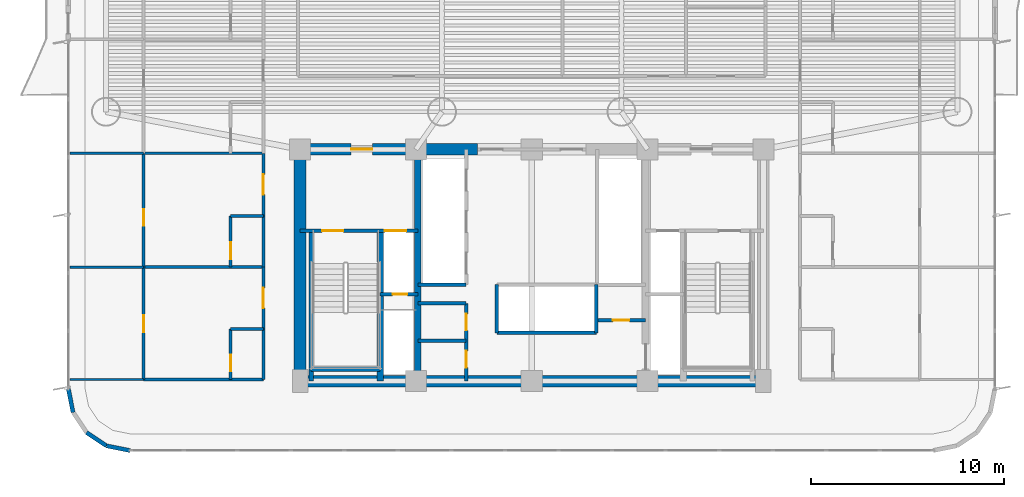
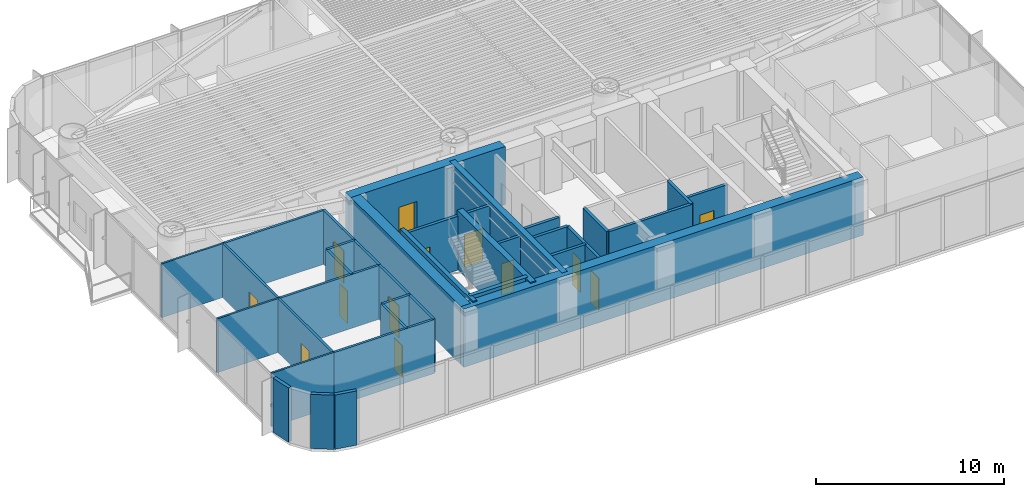
# One storey, part 10 of 18: 36 walls, 13 doors, 13 openings.
"""IFC4 building model written with IfcOpenShell, lengths in metres."""

from ifc_helpers import new_model, si_unit, direction, frame, frame_2d, origin, origin_2d, place, context, subcontext, project, spatial, rectangle, extrude, source, transform, mapped, material, layer, layer_set, type_object, element, fill, save


model = new_model("IFC4")

# Units and contexts
model_context = context("Model", 3, precision=1e-05, world=origin(), true_north=direction((0.0, 1.0)))
body_context = subcontext(model_context, "Body", "Model", "MODEL_VIEW")
ifc_project = project(units=[si_unit("LENGTHUNIT", "METRE"), si_unit("AREAUNIT", "SQUARE_METRE"), si_unit("VOLUMEUNIT", "CUBIC_METRE"), si_unit("PLANEANGLEUNIT", "RADIAN"), si_unit("MASSUNIT", "GRAM", prefix="KILO")], contexts=[model_context])

# Site, building, storey
site_placement = place(None, origin())
site = spatial("IfcSite", under=ifc_project, at=site_placement, CompositionType="ELEMENT")
building_placement = place(site_placement, origin())
building = spatial("IfcBuilding", under=site, at=building_placement, Name="Brelvock Crest Care Tower", CompositionType="ELEMENT")
storey_placement = place(building_placement, frame((0.0, 0.0, 42.1201171875)))
storey = spatial("IfcBuildingStorey", under=building, at=storey_placement, Name="L10", CompositionType="ELEMENT", Elevation=42.1201171875)

# Walls
ifc_material_1 = material(Name="Concrete S80 (80 MPa)", Category="concrete")
ifc_layer_1 = layer(ifc_material_1, 0.60009765625, Name="WL-CS1")
ifc_layer_set_1 = layer_set([ifc_layer_1], Name="Concrete S80 (80 MPa)")
wall_type_1 = type_object("IfcWallType", Name="WL-CS1", PredefinedType="SHEAR", material=ifc_layer_set_1)
wall_1_placement = place(storey_placement, frame((48.300048828125, 6.0, 0.0), z_axis=(0.0, 0.0, 1.0), x_axis=(-1.0, 0.0, 0.0)))
element("IfcWall", 1, at=wall_1_placement, inside=storey, type_object=wall_type_1, Name="L10 Core South Shear Wall", PredefinedType="SHEAR", context=body_context, shape_type="SweptSolid", body=[
    extrude(rectangle(XDim=24.60009765625, YDim=0.60009765625, at=frame_2d((12.300048828125, 0.0))), origin(), (0.0, 0.0, 1.0), 3.77978515625),
])
wall_2_placement = place(storey_placement, frame((24.0, 6.0, 0.0), z_axis=(0.0, 0.0, 1.0), x_axis=(0.0, 1.0, 0.0)))
element("IfcWall", 2, at=wall_2_placement, inside=storey, type_object=wall_type_1, Name="L10 Core West Shear Wall", PredefinedType="SHEAR", context=body_context, shape_type="SweptSolid", body=[
    extrude(rectangle(XDim=12.0, YDim=0.60009765625, at=frame_2d((6.0, 0.0))), origin(), (0.0, 0.0, 1.0), 3.77978515625),
])

# Wall, opening, door
wall_3_placement = place(storey_placement, frame((23.699951171875, 18.0, 0.0), z_axis=(0.0, 0.0, 1.0), x_axis=(1.0, 0.0, 0.0)))
wall_3 = element("IfcWall", 3, at=wall_3_placement, inside=storey, type_object=wall_type_1, Name="L10 Core North-West Shear Wall", PredefinedType="SHEAR", context=body_context, shape_type="SweptSolid", body=[
    extrude(rectangle(XDim=9.5, YDim=0.60009765625, at=frame_2d((4.75, 0.0))), origin(), (0.0, 0.0, 1.0), 3.77978515625),
])
opening_1_placement = place(wall_3_placement, frame((2.949951171875, 0.0, 0.0)))
opening_1 = element("IfcOpeningElement", 4, at=opening_1_placement, cuts=wall_3, Name="Opening FD-1", PredefinedType="OPENING", context=body_context, shape_type="SweptSolid", body=[
    extrude(rectangle(XDim=1.10009765625, YDim=2.10009765625, at=origin_2d()), frame((0.550048828125, 0.31005859375, 1.050048828125), z_axis=(0.0, -1.0, 0.0), x_axis=(1.0, 0.0, 0.0)), (0.0, 0.0, 1.0), 0.6201171875),
])
ifc_material_2 = material(Name="Steel Grade 350", Category="steel")
door_type_1 = type_object("IfcDoorType", Name="DR-FFL1", OperationType="NOTDEFINED", PredefinedType="DOOR", material=ifc_material_2)
shared_shape_1 = source(origin(), body_context, "Body", "SweptSolid", [
    extrude(rectangle(XDim=1.10009765625, YDim=2.10009765625, at=origin_2d()), frame((0.550048828125, 0.02490234375, 1.050048828125), z_axis=(0.0, -1.0, 0.0), x_axis=(1.0, 0.0, 0.0)), (0.0, 0.0, 1.0), 0.050048828125),
])
door_1_placement = place(opening_1_placement, origin())
door_1 = element("IfcDoor", 5, at=door_1_placement, inside=storey, type_object=door_type_1, Name="L10 Firefighting Lobby FFL-1 Exit Door", OperationType="SINGLE_SWING_LEFT", OverallHeight=2.10009765625, OverallWidth=1.10009765625, PredefinedType="DOOR", context=body_context, shape_type="MappedRepresentation", body=[
    mapped(shared_shape_1, transform((0.0, 0.0, 0.0), x_axis=(1.0, 0.0, 0.0), y_axis=(0.0, 1.0, 0.0), z_axis=(0.0, 0.0, 1.0), scale=1.0)),
])
fill(opening_1, door_1)

# Walls
ifc_layer_2 = layer(ifc_material_1, 0.35009765625, Name="WL-CS5")
ifc_layer_set_2 = layer_set([ifc_layer_2], Name="Concrete S80 (80 MPa)")
wall_type_2 = type_object("IfcWallType", Name="WL-CS5", PredefinedType="SHEAR", material=ifc_layer_set_2)
wall_4_placement = place(storey_placement, frame((30.10009765625, 6.0, 0.0), z_axis=(0.0, 0.0, 1.0), x_axis=(0.0, 1.0, 0.0)))
element("IfcWall", 6, at=wall_4_placement, inside=storey, type_object=wall_type_2, Name="L10 Core Internal Web Wall West", PredefinedType="SHEAR", context=body_context, shape_type="SweptSolid", body=[
    extrude(rectangle(XDim=12.0, YDim=0.35009765625, at=frame_2d((6.0, 0.0))), origin(), (0.0, 0.0, 1.0), 3.77978515625),
])
wall_5_placement = place(storey_placement, frame((28.14990234375, 6.0, 0.0), z_axis=(0.0, 0.0, 1.0), x_axis=(0.0, 1.0, 0.0)))
element("IfcWall", 7, at=wall_5_placement, inside=storey, type_object=wall_type_2, Name="L10 Core Stair ST-1 East Shear Wall", PredefinedType="SHEAR", context=body_context, shape_type="SweptSolid", body=[
    extrude(rectangle(XDim=7.780029296875, YDim=0.35009765625, at=frame_2d((3.89013671875, 0.0))), origin(), (0.0, 0.0, 1.0), 3.849853515625),
])
ifc_layer_3 = layer(ifc_material_1, 0.25, Name="WL-CS6")
ifc_layer_set_3 = layer_set([ifc_layer_3], Name="Concrete S80 (80 MPa)")
wall_type_3 = type_object("IfcWallType", Name="WL-CS6", PredefinedType="SHEAR", material=ifc_layer_set_3)
wall_6_placement = place(storey_placement, frame((24.580078125, 6.0, 0.0), z_axis=(0.0, 0.0, 1.0), x_axis=(0.0, 1.0, 0.0)))
element("IfcWall", 8, at=wall_6_placement, inside=storey, type_object=wall_type_3, Name="L10 Core Stair ST-1 West Shear Wall", PredefinedType="SHEAR", context=body_context, shape_type="SweptSolid", body=[
    extrude(rectangle(XDim=7.780029296875, YDim=0.25, at=frame_2d((3.89013671875, 0.0))), origin(), (0.0, 0.0, 1.0), 3.849853515625),
])
wall_7_placement = place(storey_placement, frame((24.580078125, 6.6201171875, 0.0), z_axis=(0.0, 0.0, 1.0), x_axis=(1.0, 0.0, 0.0)))
element("IfcWall", 9, at=wall_7_placement, inside=storey, type_object=wall_type_3, Name="L10 Core Stair ST-1 South Shear Wall", PredefinedType="SHEAR", context=body_context, shape_type="SweptSolid", body=[
    extrude(rectangle(XDim=3.56982421875, YDim=0.25, at=frame_2d((1.784912109375, 0.0))), origin(), (0.0, 0.0, 1.0), 3.849853515625),
])
ifc_material_3 = material(Name="Precast concrete N40 (40 MPa)", Category="concrete")
ifc_layer_4 = layer(ifc_material_3, 0.215087890625, Name="WL-EX2")
ifc_layer_set_4 = layer_set([ifc_layer_4], Name="Precast concrete N40 (40 MPa)")
wall_type_4 = type_object("IfcWallType", Name="WL-EX2", PredefinedType="SOLIDWALL", material=ifc_layer_set_4)
for number, where, z_axis, x_axis, name in (
    (10, (15.199951171875, 2.39990234375, 0.0), (0.0, 0.0, 1.0), (-0.980775717779, 0.195138390419, 0.0), "L10 Rounded Corner Wall 09"),
    (11, (13.975341796875, 2.6435546875, 0.0), (0.0, 0.0, 1.0), (-0.831387912822, 0.555692485475, 0.0), "L10 Rounded Corner Wall 10"),
    (12, (12.24365234375, 4.37548828125, 0.0), (0.0, 0.0, 1.0), (-0.195138390419, 0.980775717779, 0.0), "L10 Rounded Corner Wall 12"),
):
    element("IfcWall", number, at=place(storey_placement, frame(where, z_axis=z_axis, x_axis=x_axis)), inside=storey, type_object=wall_type_4, Name=name, PredefinedType="SOLIDWALL", context=body_context, shape_type="SweptSolid", body=[
        extrude(rectangle(XDim=1.24853515625, YDim=0.215087890625, at=frame_2d((0.624267578125, 0.0))), origin(), (0.0, 0.0, 1.0), 3.52978515625),
    ])
ifc_material_4 = material(Name="Masonry Blockwork Acoustic Partition", Category="masonry")
ifc_layer_5 = layer(ifc_material_4, 0.14990234375, Name="WL-INT1")
ifc_layer_set_5 = layer_set([ifc_layer_5], Name="Masonry Blockwork Acoustic Partition")
wall_type_5 = type_object("IfcWallType", Name="WL-INT1", PredefinedType="PARTITIONING", material=ifc_layer_set_5)
for number, where, z_axis, x_axis, name in (
    (13, (15.89990234375, 6.080078125, 0.0), (0.0, 0.0, 1.0), (1.0, 0.0, 0.0), "L10 Interior Wall WL-BX-L10-CS-WC1-S"),
    (14, (15.89990234375, 11.89990234375, 0.0), (0.0, 0.0, 1.0), (1.0, 0.0, 0.0), "L10 Interior Wall WL-BX-L10-CS-WC1-N"),
    (15, (15.89990234375, 17.800048828125, 0.0), (0.0, 0.0, 1.0), (1.0, 0.0, 0.0), "L10 Interior Wall WL-BX-L10-CS-WC2-N"),
):
    element("IfcWall", number, at=place(storey_placement, frame(where, z_axis=z_axis, x_axis=x_axis)), inside=storey, type_object=wall_type_5, Name=name, PredefinedType="PARTITIONING", context=body_context, shape_type="SweptSolid", body=[
        extrude(rectangle(XDim=6.2001953125, YDim=0.14990234375, at=frame_2d((3.10009765625, 0.0))), origin(), (0.0, 0.0, 1.0), 3.5),
    ])

# Wall, opening, door
wall_8_placement = place(storey_placement, frame((15.89990234375, 6.080078125, 0.0), z_axis=(0.0, 0.0, 1.0), x_axis=(0.0, 1.0, 0.0)))
wall_8 = element("IfcWall", 16, at=wall_8_placement, inside=storey, type_object=wall_type_5, Name="L10 Interior Wall WL-RM-L10-WC1S", PredefinedType="PARTITIONING", context=body_context, shape_type="SweptSolid", body=[
    extrude(rectangle(XDim=5.81982421875, YDim=0.14990234375, at=frame_2d((2.909912109375, 0.0))), origin(), (0.0, 0.0, 1.0), 3.5),
])
opening_2_placement = place(wall_8_placement, frame((2.4599609375, 0.0, 0.0)))
opening_2 = element("IfcOpeningElement", 17, at=opening_2_placement, cuts=wall_8, Name="Opening ID-1", PredefinedType="OPENING", context=body_context, shape_type="SweptSolid", body=[
    extrude(rectangle(XDim=0.860107421875, YDim=2.10009765625, at=origin_2d()), frame((0.43017578125, 0.0849609375, 1.050048828125), z_axis=(0.0, -1.0, 0.0), x_axis=(1.0, 0.0, 0.0)), (0.0, 0.0, 1.0), 0.169921875),
])
ifc_material_5 = material(Name="Engineered Hardwood Timber", Category="wood")
door_type_2 = type_object("IfcDoorType", Name="DR-INT1", OperationType="NOTDEFINED", PredefinedType="DOOR", material=ifc_material_5)
shared_shape_2 = source(origin(), body_context, "Body", "SweptSolid", [
    extrude(rectangle(XDim=0.860107421875, YDim=2.10009765625, at=origin_2d()), frame((0.43017578125, 0.02490234375, 1.050048828125), z_axis=(0.0, -1.0, 0.0), x_axis=(1.0, 0.0, 0.0)), (0.0, 0.0, 1.0), 0.050048828125),
])
door_2_placement = place(opening_2_placement, origin())
door_2 = element("IfcDoor", 18, at=door_2_placement, inside=storey, type_object=door_type_2, Name="L10 Assisted Care Mobility Store Door WC1S", OperationType="SINGLE_SWING_LEFT", OverallHeight=2.10009765625, OverallWidth=0.860107421875, PredefinedType="DOOR", context=body_context, shape_type="MappedRepresentation", body=[
    mapped(shared_shape_2, transform((0.0, 0.0, 0.0), x_axis=(1.0, 0.0, 0.0), y_axis=(0.0, 1.0, 0.0), z_axis=(0.0, 0.0, 1.0), scale=1.0)),
])
fill(opening_2, door_2)

wall_9_placement = place(storey_placement, frame((15.89990234375, 11.89990234375, 0.0), z_axis=(0.0, 0.0, 1.0), x_axis=(0.0, 1.0, 0.0)))
wall_9 = element("IfcWall", 19, at=wall_9_placement, inside=storey, type_object=wall_type_5, Name="L10 Interior Wall WL-RM-L10-WC2S", PredefinedType="PARTITIONING", context=body_context, shape_type="SweptSolid", body=[
    extrude(rectangle(XDim=5.900146484375, YDim=0.14990234375, at=frame_2d((2.9501953125, 0.0))), origin(), (0.0, 0.0, 1.0), 3.5),
])
opening_3_placement = place(wall_9_placement, frame((2.139892578125, 0.0, 0.0)))
opening_3 = element("IfcOpeningElement", 20, at=opening_3_placement, cuts=wall_9, Name="Opening ID-1", PredefinedType="OPENING", context=body_context, shape_type="SweptSolid", body=[
    extrude(rectangle(XDim=0.860107421875, YDim=2.10009765625, at=origin_2d()), frame((0.43017578125, 0.0849609375, 1.050048828125), z_axis=(0.0, -1.0, 0.0), x_axis=(1.0, 0.0, 0.0)), (0.0, 0.0, 1.0), 0.169921875),
])
door_3_placement = place(opening_3_placement, origin())
door_3 = element("IfcDoor", 21, at=door_3_placement, inside=storey, type_object=door_type_2, Name="L10 Assisted Care Mobility Store Door WC2S", OperationType="SINGLE_SWING_LEFT", OverallHeight=2.10009765625, OverallWidth=0.860107421875, PredefinedType="DOOR", context=body_context, shape_type="MappedRepresentation", body=[
    mapped(shared_shape_2, transform((0.0, 0.0, 0.0), x_axis=(1.0, 0.0, 0.0), y_axis=(0.0, 1.0, 0.0), z_axis=(0.0, 0.0, 1.0), scale=1.0)),
])
fill(opening_3, door_3)

wall_10_placement = place(storey_placement, frame((22.10009765625, 8.698974609375, 0.0), z_axis=(0.0, 0.0, 1.0), x_axis=(0.0, 1.0, 0.0)))
wall_10 = element("IfcWall", 22, at=wall_10_placement, inside=storey, type_object=wall_type_5, Name="L10 Interior Wall WL-CENT-L10-WC1", PredefinedType="PARTITIONING", context=body_context, shape_type="SweptSolid", body=[
    extrude(rectangle(XDim=3.200927734375, YDim=0.14990234375, at=frame_2d((1.6005859375, 0.0))), origin(), (0.0, 0.0, 1.0), 3.5),
])
opening_4_placement = place(wall_10_placement, frame((1.0810546875, 0.0, 0.0)))
opening_4 = element("IfcOpeningElement", 23, at=opening_4_placement, cuts=wall_10, Name="Opening CD-1", PredefinedType="OPENING", context=body_context, shape_type="SweptSolid", body=[
    extrude(rectangle(XDim=1.050048828125, YDim=2.10009765625, at=origin_2d()), frame((0.52490234375, 0.0849609375, 1.050048828125), z_axis=(0.0, -1.0, 0.0), x_axis=(1.0, 0.0, 0.0)), (0.0, 0.0, 1.0), 0.169921875),
])
door_type_3 = type_object("IfcDoorType", Name="DR-CARE1", OperationType="NOTDEFINED", PredefinedType="DOOR", material=ifc_material_5)
shared_shape_3 = source(origin(), body_context, "Body", "SweptSolid", [
    extrude(rectangle(XDim=1.050048828125, YDim=2.10009765625, at=origin_2d()), frame((0.52490234375, 0.02490234375, 1.050048828125), z_axis=(0.0, -1.0, 0.0), x_axis=(1.0, 0.0, 0.0)), (0.0, 0.0, 1.0), 0.050048828125),
])
door_4_placement = place(opening_4_placement, origin())
door_4 = element("IfcDoor", 24, at=door_4_placement, inside=storey, type_object=door_type_3, Name="L10 Care Suite Door WC1", OperationType="SINGLE_SWING_LEFT", OverallHeight=2.10009765625, OverallWidth=1.050048828125, PredefinedType="DOOR", context=body_context, shape_type="MappedRepresentation", body=[
    mapped(shared_shape_3, transform((0.0, 0.0, 0.0), x_axis=(1.0, 0.0, 0.0), y_axis=(0.0, 1.0, 0.0), z_axis=(0.0, 0.0, 1.0), scale=1.0)),
])
fill(opening_4, door_4)

wall_11_placement = place(storey_placement, frame((22.10009765625, 14.554931640625, 0.0), z_axis=(0.0, 0.0, 1.0), x_axis=(0.0, 1.0, 0.0)))
wall_11 = element("IfcWall", 25, at=wall_11_placement, inside=storey, type_object=wall_type_5, Name="L10 Interior Wall WL-CENT-L10-WC2", PredefinedType="PARTITIONING", context=body_context, shape_type="SweptSolid", body=[
    extrude(rectangle(XDim=3.2451171875, YDim=0.14990234375, at=frame_2d((1.62255859375, 0.0))), origin(), (0.0, 0.0, 1.0), 3.5),
])
opening_5_placement = place(wall_11_placement, frame((1.10302734375, 0.0, 0.0)))
opening_5 = element("IfcOpeningElement", 26, at=opening_5_placement, cuts=wall_11, Name="Opening CD-1", PredefinedType="OPENING", context=body_context, shape_type="SweptSolid", body=[
    extrude(rectangle(XDim=1.050048828125, YDim=2.10009765625, at=origin_2d()), frame((0.52490234375, 0.0849609375, 1.050048828125), z_axis=(0.0, -1.0, 0.0), x_axis=(1.0, 0.0, 0.0)), (0.0, 0.0, 1.0), 0.169921875),
])
door_5_placement = place(opening_5_placement, origin())
door_5 = element("IfcDoor", 27, at=door_5_placement, inside=storey, type_object=door_type_3, Name="L10 Care Suite Door WC2", OperationType="SINGLE_SWING_LEFT", OverallHeight=2.10009765625, OverallWidth=1.050048828125, PredefinedType="DOOR", context=body_context, shape_type="MappedRepresentation", body=[
    mapped(shared_shape_3, transform((0.0, 0.0, 0.0), x_axis=(1.0, 0.0, 0.0), y_axis=(0.0, 1.0, 0.0), z_axis=(0.0, 0.0, 1.0), scale=1.0)),
])
fill(opening_5, door_5)

# Walls
ifc_material_6 = material(Name="Gypsum Plasterboard Partition", Category="gypsum")
ifc_layer_6 = layer(ifc_material_6, 0.1201171875, Name="WL-INT2")
ifc_layer_set_6 = layer_set([ifc_layer_6], Name="Gypsum Plasterboard Partition")
wall_type_6 = type_object("IfcWallType", Name="WL-INT2", PredefinedType="PARTITIONING", material=ifc_layer_set_6)
for number, where, z_axis, x_axis, name in (
    (28, (12.080078125, 6.080078125, 0.0), (0.0, 0.0, 1.0), (1.0, 0.0, 0.0), "L10 Interior Wall WL-BX-L10-WC1S-S"),
    (29, (12.080078125, 11.89990234375, 0.0), (0.0, 0.0, 1.0), (1.0, 0.0, 0.0), "L10 Interior Wall WL-BX-L10-WC1S-N"),
    (30, (12.080078125, 17.800048828125, 0.0), (0.0, 0.0, 1.0), (1.0, 0.0, 0.0), "L10 Interior Wall WL-BX-L10-WC2S-N"),
):
    element("IfcWall", number, at=place(storey_placement, frame(where, z_axis=z_axis, x_axis=x_axis)), inside=storey, type_object=wall_type_6, Name=name, PredefinedType="PARTITIONING", context=body_context, shape_type="SweptSolid", body=[
        extrude(rectangle(XDim=3.81982421875, YDim=0.1201171875, at=frame_2d((1.909912109375, 0.0))), origin(), (0.0, 0.0, 1.0), 3.5),
    ])
ifc_layer_7 = layer(ifc_material_6, 0.159912109375, Name="WL-PLM1")
ifc_layer_set_7 = layer_set([ifc_layer_7], Name="Gypsum Plasterboard Partition")
wall_type_7 = type_object("IfcWallType", Name="WL-PLM1", PredefinedType="PLUMBINGWALL", material=ifc_layer_set_7)
for number, where, z_axis, x_axis, name in (
    (31, (20.39990234375, 8.698974609375, 0.0), (0.0, 0.0, 1.0), (1.0, 0.0, 0.0), "L10 Interior Wall WL-CENS2-L10-WC1"),
    (32, (20.39990234375, 14.554931640625, 0.0), (0.0, 0.0, 1.0), (1.0, 0.0, 0.0), "L10 Interior Wall WL-CENS2-L10-WC2"),
):
    element("IfcWall", number, at=place(storey_placement, frame(where, z_axis=z_axis, x_axis=x_axis)), inside=storey, type_object=wall_type_7, Name=name, PredefinedType="PLUMBINGWALL", context=body_context, shape_type="SweptSolid", body=[
        extrude(rectangle(XDim=1.7001953125, YDim=0.159912109375, at=frame_2d((0.85009765625, 0.0))), origin(), (0.0, 0.0, 1.0), 3.5),
    ])

# Wall, opening, door
wall_12_placement = place(storey_placement, frame((20.39990234375, 6.080078125, 0.0), z_axis=(0.0, 0.0, 1.0), x_axis=(0.0, 1.0, 0.0)))
wall_12 = element("IfcWall", 33, at=wall_12_placement, inside=storey, type_object=wall_type_7, Name="L10 Interior Wall WL-CENS1-L10-WC1", PredefinedType="PLUMBINGWALL", context=body_context, shape_type="SweptSolid", body=[
    extrude(rectangle(XDim=2.618896484375, YDim=0.159912109375, at=frame_2d((1.3095703125, 0.0))), origin(), (0.0, 0.0, 1.0), 3.5),
])
opening_6_placement = place(wall_12_placement, frame((0.419921875, 0.0, 0.0)))
opening_6 = element("IfcOpeningElement", 34, at=opening_6_placement, cuts=wall_12, Name="Opening WD-1", PredefinedType="OPENING", context=body_context, shape_type="SweptSolid", body=[
    extrude(rectangle(XDim=0.860107421875, YDim=2.10009765625, at=origin_2d()), frame((0.43017578125, 0.08984375, 1.050048828125), z_axis=(0.0, -1.0, 0.0), x_axis=(1.0, 0.0, 0.0)), (0.0, 0.0, 1.0), 0.179931640625),
])
door_type_4 = type_object("IfcDoorType", Name="DR-WC1", OperationType="NOTDEFINED", PredefinedType="DOOR", material=ifc_material_5)
shared_shape_4 = source(origin(), body_context, "Body", "SweptSolid", [
    extrude(rectangle(XDim=0.860107421875, YDim=2.10009765625, at=origin_2d()), frame((0.43017578125, 0.02490234375, 1.050048828125), z_axis=(0.0, -1.0, 0.0), x_axis=(1.0, 0.0, 0.0)), (0.0, 0.0, 1.0), 0.050048828125),
])
door_6_placement = place(opening_6_placement, origin())
door_6 = element("IfcDoor", 35, at=door_6_placement, inside=storey, type_object=door_type_4, Name="L10 Care En-Suite Door WC1", OperationType="SINGLE_SWING_LEFT", OverallHeight=2.10009765625, OverallWidth=0.860107421875, PredefinedType="DOOR", context=body_context, shape_type="MappedRepresentation", body=[
    mapped(shared_shape_4, transform((0.0, 0.0, 0.0), x_axis=(1.0, 0.0, 0.0), y_axis=(0.0, 1.0, 0.0), z_axis=(0.0, 0.0, 1.0), scale=1.0)),
])
fill(opening_6, door_6)

wall_13_placement = place(storey_placement, frame((20.39990234375, 11.89990234375, 0.0), z_axis=(0.0, 0.0, 1.0), x_axis=(0.0, 1.0, 0.0)))
wall_13 = element("IfcWall", 36, at=wall_13_placement, inside=storey, type_object=wall_type_7, Name="L10 Interior Wall WL-CENS1-L10-WC2", PredefinedType="PLUMBINGWALL", context=body_context, shape_type="SweptSolid", body=[
    extrude(rectangle(XDim=2.655029296875, YDim=0.159912109375, at=frame_2d((1.32763671875, 0.0))), origin(), (0.0, 0.0, 1.0), 3.5),
])
opening_7_placement = place(wall_13_placement, frame((0.419921875, 0.0, 0.0)))
opening_7 = element("IfcOpeningElement", 37, at=opening_7_placement, cuts=wall_13, Name="Opening WD-1", PredefinedType="OPENING", context=body_context, shape_type="SweptSolid", body=[
    extrude(rectangle(XDim=0.860107421875, YDim=2.10009765625, at=origin_2d()), frame((0.43017578125, 0.08984375, 1.050048828125), z_axis=(0.0, -1.0, 0.0), x_axis=(1.0, 0.0, 0.0)), (0.0, 0.0, 1.0), 0.179931640625),
])
door_7_placement = place(opening_7_placement, origin())
door_7 = element("IfcDoor", 38, at=door_7_placement, inside=storey, type_object=door_type_4, Name="L10 Care En-Suite Door WC2", OperationType="SINGLE_SWING_LEFT", OverallHeight=2.10009765625, OverallWidth=0.860107421875, PredefinedType="DOOR", context=body_context, shape_type="MappedRepresentation", body=[
    mapped(shared_shape_4, transform((0.0, 0.0, 0.0), x_axis=(1.0, 0.0, 0.0), y_axis=(0.0, 1.0, 0.0), z_axis=(0.0, 0.0, 1.0), scale=1.0)),
])
fill(opening_7, door_7)

# Walls
wall_14_placement = place(storey_placement, frame((22.10009765625, 6.080078125, 0.0), z_axis=(0.0, 0.0, 1.0), x_axis=(0.0, 1.0, 0.0)))
element("IfcWall", 39, at=wall_14_placement, inside=storey, type_object=wall_type_7, Name="L10 Interior Wall WL-CENS0-L10-WC1", PredefinedType="PLUMBINGWALL", context=body_context, shape_type="SweptSolid", body=[
    extrude(rectangle(XDim=2.618896484375, YDim=0.159912109375, at=frame_2d((1.3095703125, 0.0))), origin(), (0.0, 0.0, 1.0), 3.5),
])
wall_15_placement = place(storey_placement, frame((22.10009765625, 11.89990234375, 0.0), z_axis=(0.0, 0.0, 1.0), x_axis=(0.0, 1.0, 0.0)))
element("IfcWall", 40, at=wall_15_placement, inside=storey, type_object=wall_type_7, Name="L10 Interior Wall WL-CENS0-L10-WC2", PredefinedType="PLUMBINGWALL", context=body_context, shape_type="SweptSolid", body=[
    extrude(rectangle(XDim=2.655029296875, YDim=0.159912109375, at=frame_2d((1.32763671875, 0.0))), origin(), (0.0, 0.0, 1.0), 3.5),
])
ifc_layer_8 = layer(ifc_material_4, 0.179931640625, Name="WL-SHF1")
ifc_layer_set_8 = layer_set([ifc_layer_8], Name="Masonry Blockwork Acoustic Partition")
wall_type_8 = type_object("IfcWallType", Name="WL-SHF1", PredefinedType="PARTITIONING", material=ifc_layer_set_8)
wall_16_placement = place(storey_placement, frame((34.199951171875, 8.5, 0.0), z_axis=(0.0, 0.0, 1.0), x_axis=(1.0, 0.0, 0.0)))
element("IfcWall", 41, at=wall_16_placement, inside=storey, type_object=wall_type_8, Name="L10 Interior Wall WL-PLM-S-L10", PredefinedType="PARTITIONING", context=body_context, shape_type="SweptSolid", body=[
    extrude(rectangle(XDim=5.150146484375, YDim=0.179931640625, at=frame_2d((2.5751953125, 0.0))), origin(), (0.0, 0.0, 1.0), 3.5),
])
for number, where, z_axis, x_axis, name in (
    (42, (34.199951171875, 8.5, 0.0), (0.0, 0.0, 1.0), (0.0, 1.0, 0.0), "L10 Interior Wall WL-PLM-W-L10"),
    (43, (39.35009765625, 8.5, 0.0), (0.0, 0.0, 1.0), (0.0, 1.0, 0.0), "L10 Interior Wall WL-PLM-E-L10"),
    (44, (30.10009765625, 10.97998046875, 0.0), (0.0, 0.0, 1.0), (1.0, 0.0, 0.0), "L10 Interior Wall WL-CSBW-N-L10"),
    (45, (30.10009765625, 8.10009765625, 0.0), (0.0, 0.0, 1.0), (1.0, 0.0, 0.0), "L10 Interior Wall WL-CSBW-SP-L10"),
    (46, (30.10009765625, 10.02001953125, 0.0), (0.0, 0.0, 1.0), (1.0, 0.0, 0.0), "L10 Interior Wall WL-CSBW-N2-L10"),
):
    element("IfcWall", number, at=place(storey_placement, frame(where, z_axis=z_axis, x_axis=x_axis)), inside=storey, type_object=wall_type_8, Name=name, PredefinedType="PARTITIONING", context=body_context, shape_type="SweptSolid", body=[
        extrude(rectangle(XDim=2.5, YDim=0.179931640625, at=frame_2d((1.25, 0.0))), origin(), (0.0, 0.0, 1.0), 3.5),
    ])

# Wall, openings, doors
wall_17_placement = place(storey_placement, frame((32.60009765625, 6.0, 0.0), z_axis=(0.0, 0.0, 1.0), x_axis=(0.0, 1.0, 0.0)))
wall_17 = element("IfcWall", 47, at=wall_17_placement, inside=storey, type_object=wall_type_8, Name="L10 Interior Wall WL-CSBW-E-L10", PredefinedType="PARTITIONING", context=body_context, shape_type="SweptSolid", body=[
    extrude(rectangle(XDim=4.02001953125, YDim=0.179931640625, at=frame_2d((2.010009765625, 0.0))), origin(), (0.0, 0.0, 1.0), 3.5),
])
opening_8_placement = place(wall_17_placement, frame((0.699951171875, 0.0, 0.0)))
opening_8 = element("IfcOpeningElement", 48, at=opening_8_placement, cuts=wall_17, Name="Opening ID-1", PredefinedType="OPENING", context=body_context, shape_type="SweptSolid", body=[
    extrude(rectangle(XDim=0.860107421875, YDim=2.10009765625, at=origin_2d()), frame((0.43017578125, 0.10009765625, 1.050048828125), z_axis=(0.0, -1.0, 0.0), x_axis=(1.0, 0.0, 0.0)), (0.0, 0.0, 1.0), 0.199951171875),
])
opening_9_placement = place(wall_17_placement, frame((2.6201171875, 0.0, 0.0)))
opening_9 = element("IfcOpeningElement", 49, at=opening_9_placement, cuts=wall_17, Name="Opening ID-1", PredefinedType="OPENING", context=body_context, shape_type="SweptSolid", body=[
    extrude(rectangle(XDim=0.860107421875, YDim=2.10009765625, at=origin_2d()), frame((0.43017578125, 0.10009765625, 1.050048828125), z_axis=(0.0, -1.0, 0.0), x_axis=(1.0, 0.0, 0.0)), (0.0, 0.0, 1.0), 0.199951171875),
])
door_8_placement = place(opening_8_placement, origin())
door_8 = element("IfcDoor", 50, at=door_8_placement, inside=storey, type_object=door_type_2, Name="DR-CSBW1-L10", OperationType="SINGLE_SWING_LEFT", OverallHeight=2.10009765625, OverallWidth=0.860107421875, PredefinedType="DOOR", context=body_context, shape_type="MappedRepresentation", body=[
    mapped(shared_shape_2, transform((0.0, 0.0, 0.0), x_axis=(1.0, 0.0, 0.0), y_axis=(0.0, 1.0, 0.0), z_axis=(0.0, 0.0, 1.0), scale=1.0)),
])
fill(opening_8, door_8)
door_9_placement = place(opening_9_placement, origin())
door_9 = element("IfcDoor", 51, at=door_9_placement, inside=storey, type_object=door_type_2, Name="DR-CSBW2-L10", OperationType="SINGLE_SWING_RIGHT", OverallHeight=2.10009765625, OverallWidth=0.860107421875, PredefinedType="DOOR", context=body_context, shape_type="MappedRepresentation", body=[
    mapped(shared_shape_2, transform((0.0, 0.0, 0.0), x_axis=(1.0, 0.0, 0.0), y_axis=(0.0, 1.0, 0.0), z_axis=(0.0, 0.0, 1.0), scale=1.0)),
])
fill(opening_9, door_9)

# Wall, opening, door
wall_18_placement = place(storey_placement, frame((39.35009765625, 9.14990234375, 0.0), z_axis=(0.0, 0.0, 1.0), x_axis=(1.0, 0.0, 0.0)))
wall_18 = element("IfcWall", 52, at=wall_18_placement, inside=storey, type_object=wall_type_8, Name="L10 Interior Wall WL-CSBE-S-L10", PredefinedType="PARTITIONING", context=body_context, shape_type="SweptSolid", body=[
    extrude(rectangle(XDim=2.5498046875, YDim=0.179931640625, at=frame_2d((1.27490234375, 0.0))), origin(), (0.0, 0.0, 1.0), 3.5),
])
opening_10_placement = place(wall_18_placement, frame((0.85009765625, 0.0, 0.0)))
opening_10 = element("IfcOpeningElement", 53, at=opening_10_placement, cuts=wall_18, Name="Opening ID-1", PredefinedType="OPENING", context=body_context, shape_type="SweptSolid", body=[
    extrude(rectangle(XDim=0.860107421875, YDim=2.10009765625, at=origin_2d()), frame((0.43017578125, 0.10009765625, 1.050048828125), z_axis=(0.0, -1.0, 0.0), x_axis=(1.0, 0.0, 0.0)), (0.0, 0.0, 1.0), 0.199951171875),
])
door_10_placement = place(opening_10_placement, origin())
door_10 = element("IfcDoor", 54, at=door_10_placement, inside=storey, type_object=door_type_2, Name="DR-CSBE-L10", OperationType="SINGLE_SWING_LEFT", OverallHeight=2.10009765625, OverallWidth=0.860107421875, PredefinedType="DOOR", context=body_context, shape_type="MappedRepresentation", body=[
    mapped(shared_shape_2, transform((0.0, 0.0, 0.0), x_axis=(1.0, 0.0, 0.0), y_axis=(0.0, 1.0, 0.0), z_axis=(0.0, 0.0, 1.0), scale=1.0)),
])
fill(opening_10, door_10)

# Wall, openings, doors
wall_19_placement = place(storey_placement, frame((24.0, 13.780029296875, 0.0), z_axis=(0.0, 0.0, 1.0), x_axis=(1.0, 0.0, 0.0)))
wall_19 = element("IfcWall", 55, at=wall_19_placement, inside=storey, type_object=wall_type_8, Name="L10 Interior Wall WL-ST1-N-L10", PredefinedType="PARTITIONING", context=body_context, shape_type="SweptSolid", body=[
    extrude(rectangle(XDim=6.10009765625, YDim=0.179931640625, at=frame_2d((3.050048828125, 0.0))), origin(), (0.0, 0.0, 1.0), 3.5),
])
opening_11_placement = place(wall_19_placement, frame((1.14990234375, 0.0, 0.0)))
opening_11 = element("IfcOpeningElement", 56, at=opening_11_placement, cuts=wall_19, Name="Opening SD-1", PredefinedType="OPENING", context=body_context, shape_type="SweptSolid", body=[
    extrude(rectangle(XDim=1.10009765625, YDim=2.10009765625, at=origin_2d()), frame((0.550048828125, 0.10009765625, 1.050048828125), z_axis=(0.0, -1.0, 0.0), x_axis=(1.0, 0.0, 0.0)), (0.0, 0.0, 1.0), 0.199951171875),
])
opening_12_placement = place(wall_19_placement, frame((4.39990234375, 0.0, 0.0)))
opening_12 = element("IfcOpeningElement", 57, at=opening_12_placement, cuts=wall_19, Name="Opening LD", PredefinedType="OPENING", context=body_context, shape_type="SweptSolid", body=[
    extrude(rectangle(XDim=1.10009765625, YDim=2.10009765625, at=origin_2d()), frame((0.550048828125, 0.10009765625, 1.050048828125), z_axis=(0.0, -1.0, 0.0), x_axis=(1.0, 0.0, 0.0)), (0.0, 0.0, 1.0), 0.199951171875),
])
door_type_5 = type_object("IfcDoorType", Name="DR-ST1", OperationType="NOTDEFINED", PredefinedType="DOOR", material=ifc_material_2)
shared_shape_5 = source(origin(), body_context, "Body", "SweptSolid", [
    extrude(rectangle(XDim=1.10009765625, YDim=2.10009765625, at=origin_2d()), frame((0.550048828125, 0.02490234375, 1.050048828125), z_axis=(0.0, -1.0, 0.0), x_axis=(1.0, 0.0, 0.0)), (0.0, 0.0, 1.0), 0.050048828125),
])
door_11_placement = place(opening_11_placement, origin())
door_11 = element("IfcDoor", 58, at=door_11_placement, inside=storey, type_object=door_type_5, Name="L10 Fire Stair ST-1 Door", OperationType="SINGLE_SWING_LEFT", OverallHeight=2.10009765625, OverallWidth=1.10009765625, PredefinedType="DOOR", context=body_context, shape_type="MappedRepresentation", body=[
    mapped(shared_shape_5, transform((0.0, 0.0, 0.0), x_axis=(1.0, 0.0, 0.0), y_axis=(0.0, 1.0, 0.0), z_axis=(0.0, 0.0, 1.0), scale=1.0)),
])
fill(opening_11, door_11)
door_type_6 = type_object("IfcDoorType", Name="DR-LD1", OperationType="NOTDEFINED", PredefinedType="DOOR", material=ifc_material_2)
shared_shape_6 = source(origin(), body_context, "Body", "SweptSolid", [
    extrude(rectangle(XDim=1.10009765625, YDim=2.10009765625, at=origin_2d()), frame((0.550048828125, 0.02490234375, 1.050048828125), z_axis=(0.0, -1.0, 0.0), x_axis=(1.0, 0.0, 0.0)), (0.0, 0.0, 1.0), 0.050048828125),
])
door_12_placement = place(opening_12_placement, origin())
door_12 = element("IfcDoor", 59, at=door_12_placement, inside=storey, type_object=door_type_6, Name="L10 Firefighting Lift FFL-1 Landing Door", OperationType="SLIDING_TO_LEFT", OverallHeight=2.10009765625, OverallWidth=1.10009765625, PredefinedType="DOOR", context=body_context, shape_type="MappedRepresentation", body=[
    mapped(shared_shape_6, transform((0.0, 0.0, 0.0), x_axis=(1.0, 0.0, 0.0), y_axis=(0.0, 1.0, 0.0), z_axis=(0.0, 0.0, 1.0), scale=1.0)),
])
fill(opening_12, door_12)

# Wall, opening, door
wall_20_placement = place(storey_placement, frame((28.14990234375, 10.5, 0.0), z_axis=(0.0, 0.0, 1.0), x_axis=(1.0, 0.0, 0.0)))
wall_20 = element("IfcWall", 60, at=wall_20_placement, inside=storey, type_object=wall_type_8, Name="L10 Interior Wall WL-FFH1-S-L10", PredefinedType="PARTITIONING", context=body_context, shape_type="SweptSolid", body=[
    extrude(rectangle(XDim=1.9501953125, YDim=0.179931640625, at=frame_2d((0.97509765625, 0.0))), origin(), (0.0, 0.0, 1.0), 3.5),
])
opening_13_placement = place(wall_20_placement, frame((0.64990234375, 0.0, 0.0)))
opening_13 = element("IfcOpeningElement", 61, at=opening_13_placement, cuts=wall_20, Name="Opening RD-1", PredefinedType="OPENING", context=body_context, shape_type="SweptSolid", body=[
    extrude(rectangle(XDim=0.760009765625, YDim=2.050048828125, at=origin_2d()), frame((0.3798828125, 0.10009765625, 1.02490234375), z_axis=(0.0, -1.0, 0.0), x_axis=(1.0, 0.0, 0.0)), (0.0, 0.0, 1.0), 0.199951171875),
])
door_type_7 = type_object("IfcDoorType", Name="DR-RIS1", OperationType="NOTDEFINED", PredefinedType="DOOR", material=ifc_material_2)
shared_shape_7 = source(origin(), body_context, "Body", "SweptSolid", [
    extrude(rectangle(XDim=0.760009765625, YDim=2.050048828125, at=origin_2d()), frame((0.3798828125, 0.02490234375, 1.02490234375), z_axis=(0.0, -1.0, 0.0), x_axis=(1.0, 0.0, 0.0)), (0.0, 0.0, 1.0), 0.050048828125),
])
door_13_placement = place(opening_13_placement, origin())
door_13 = element("IfcDoor", 62, at=door_13_placement, inside=storey, type_object=door_type_7, Name="L10 Wet Fire Riser Access Door", OperationType="SINGLE_SWING_LEFT", OverallHeight=2.050048828125, OverallWidth=0.760009765625, PredefinedType="DOOR", context=body_context, shape_type="MappedRepresentation", body=[
    mapped(shared_shape_7, transform((0.0, 0.0, 0.0), x_axis=(1.0, 0.0, 0.0), y_axis=(0.0, 1.0, 0.0), z_axis=(0.0, 0.0, 1.0), scale=1.0)),
])
fill(opening_13, door_13)

save(model, "model.ifc")
